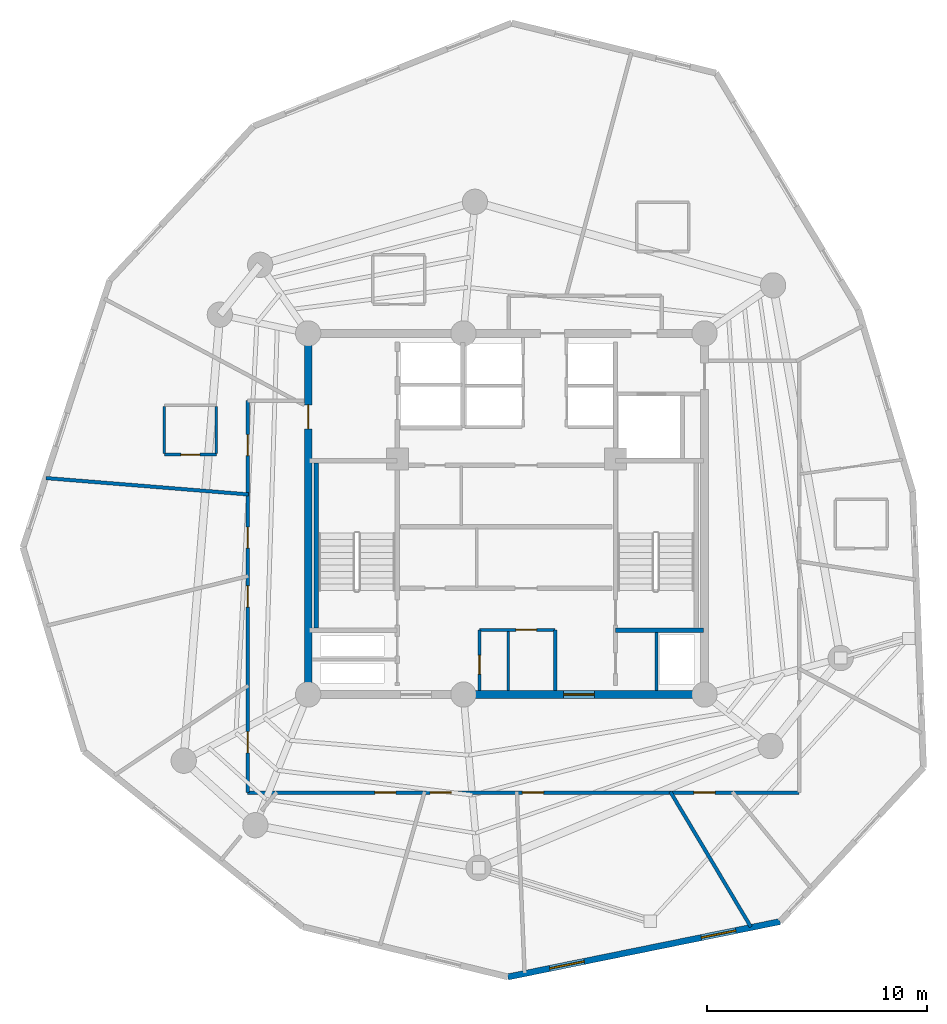
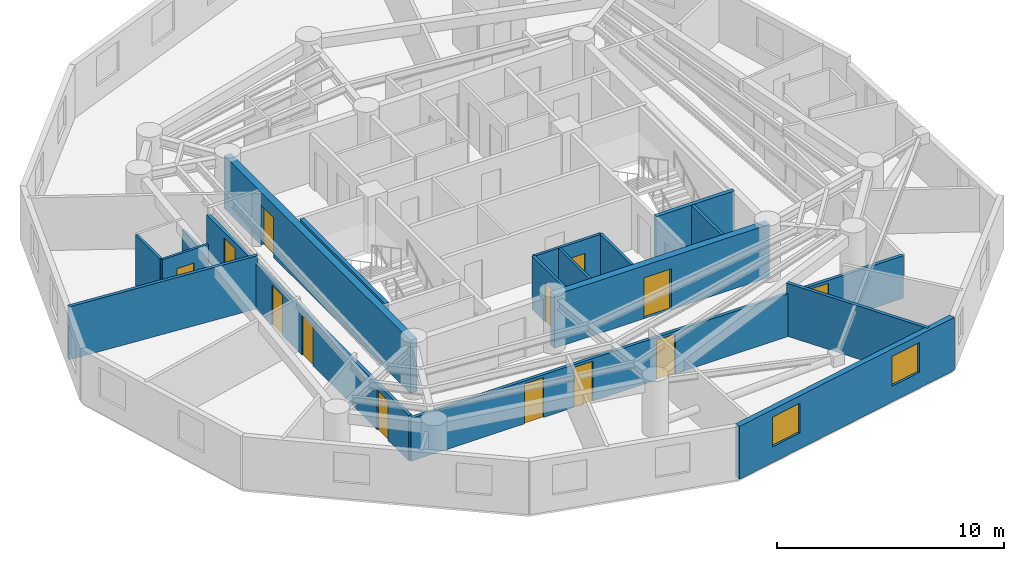
# One storey, part 3 of 7: 17 walls, 13 doors, 2 windows, 15 openings.
"""IFC4 building model written with IfcOpenShell, lengths in metres."""

import ifcopenshell
import ifcopenshell.guid

model = None  # the IFC model being written
_history = None  # IfcOwnerHistory: only IFC2X3 demands one
_inside = {}  # id of a spatial element -> (the spatial element, [elements in it])
_under = {}  # id of a project, library or spatial element -> (it, [spatial elements below it])
_declared = {}  # id of a project -> (the project, [libraries it declares])
_typed = {}  # id of a type object -> (the type object, [elements of that type])
_made_of = {}  # id of a material, layer set ... -> (it, [elements and type objects made of it])


def new_model(schema):
    """Start an empty IFC model of exactly this schema.

    Asked for "IFC4X3", IfcOpenShell would pick the latest addendum, in which some entities
    have other attributes; the version numbers below select the first issue.
    IFC2X3 requires an IfcOwnerHistory on every rooted entity: one is made here for all.
    """
    global model, _history
    if schema == "IFC4X3":
        model = ifcopenshell.file(schema_version=(4, 3, 0, 0))
    else:
        model = ifcopenshell.file(schema=schema)
    _inside.clear()
    _under.clear()
    _declared.clear()
    _typed.clear()
    _made_of.clear()
    _history = None
    if model.schema == "IFC2X3":
        org = make("IfcOrganization", Name="unknown")
        user = make(
            "IfcPersonAndOrganization",
            ThePerson=make("IfcPerson", FamilyName="unknown"),
            TheOrganization=org,
        )
        app = make(
            "IfcApplication",
            ApplicationDeveloper=org,
            Version="unknown",
            ApplicationFullName="unknown",
            ApplicationIdentifier="unknown",
        )
        _history = make(
            "IfcOwnerHistory",
            OwningUser=user,
            OwningApplication=app,
            ChangeAction="ADDED",
            CreationDate=0,
        )
    return model


def make(cls, **values):
    """One entity of the class cls with the attributes given. An attribute that is None is left unset."""
    return model.create_entity(
        cls, **{name: value for name, value in values.items() if value is not None}
    )


def rooted(cls, **values):
    """An entity with a GlobalId (a new one), such as an element, a storey or a relation."""
    return make(cls, GlobalId=ifcopenshell.guid.new(), OwnerHistory=_history, **values)


def si_unit(unit_type, name, prefix=None):
    """IfcSIUnit, for example si_unit("LENGTHUNIT", "METRE", prefix="MILLI")."""
    return make("IfcSIUnit", UnitType=unit_type, Prefix=prefix, Name=name)


def assignment(units):
    """IfcUnitAssignment: the units of a project."""
    return None if units is None else make("IfcUnitAssignment", Units=units)


def point(xyz):
    """IfcCartesianPoint."""
    return None if xyz is None else make("IfcCartesianPoint", Coordinates=xyz)


def direction(xyz):
    """IfcDirection."""
    return None if xyz is None else make("IfcDirection", DirectionRatios=xyz)


def frame(location, z_axis=None, x_axis=None):
    """IfcAxis2Placement3D, a coordinate frame: its origin and axes. An axis left out is left unset."""
    return make(
        "IfcAxis2Placement3D",
        Location=point(location),
        Axis=direction(z_axis),
        RefDirection=direction(x_axis),
    )


def frame_2d(location, x_axis=None):
    """IfcAxis2Placement2D, a coordinate frame in the plane: its origin and x axis."""
    return make(
        "IfcAxis2Placement2D", Location=point(location), RefDirection=direction(x_axis)
    )


def origin():
    """The frame at (0, 0, 0) with its axes left unset."""
    return frame((0.0, 0.0, 0.0))


def origin_with_axes():
    """The frame at (0, 0, 0) with the z axis (0, 0, 1) and the x axis (1, 0, 0) written out."""
    return frame((0.0, 0.0, 0.0), z_axis=(0.0, 0.0, 1.0), x_axis=(1.0, 0.0, 0.0))


def place(relative_to, where):
    """IfcLocalPlacement: puts the frame where relative to a parent placement (None: the world)."""
    return make(
        "IfcLocalPlacement", PlacementRelTo=relative_to, RelativePlacement=where
    )


def context(
    kind, dimensions, precision=None, world=None, true_north=None, identifier=None
):
    """IfcGeometricRepresentationContext, for example the 3D "Model" context."""
    return make(
        "IfcGeometricRepresentationContext",
        ContextIdentifier=identifier,
        ContextType=kind,
        CoordinateSpaceDimension=dimensions,
        Precision=precision,
        WorldCoordinateSystem=world,
        TrueNorth=true_north,
    )


def subcontext(parent, identifier, kind, view, scale=None):
    """IfcGeometricRepresentationSubContext, for example "Body" below "Model"."""
    return make(
        "IfcGeometricRepresentationSubContext",
        ContextIdentifier=identifier,
        ContextType=kind,
        ParentContext=parent,
        TargetScale=scale,
        TargetView=view,
    )


def project(units=None, contexts=None):
    """IfcProject with its units and contexts."""
    return rooted(
        "IfcProject",
        Name="project",
        RepresentationContexts=contexts,
        UnitsInContext=assignment(units),
    )


def spatial(cls, under=None, at=None, **own):
    """A site, building, storey or space (cls), placed at a placement, below another one or the project."""
    s = rooted(cls, ObjectPlacement=at, **own)
    if under is not None:
        _under.setdefault(under.id(), (under, []))[1].append(s)
    return s


def profile(cls, at=None, kind="AREA", **sizes):
    """A parametric profile (cls). Its sizes go by their IFC names, for example OverallWidth=200.0."""
    return make(cls, ProfileType=kind, Position=at, **sizes)


def rectangle(**sizes):
    """IfcRectangleProfileDef."""
    return profile("IfcRectangleProfileDef", **sizes)


def extrude(swept, where, along, depth):
    """IfcExtrudedAreaSolid: the profile swept, set in the frame where, extruded along a direction by depth."""
    return make(
        "IfcExtrudedAreaSolid",
        SweptArea=swept,
        Position=where,
        ExtrudedDirection=direction(along),
        Depth=depth,
    )


def shape(context_of_items, identifier, shape_type, items):
    """IfcShapeRepresentation: the items that make up one representation, for example the "Body"."""
    return make(
        "IfcShapeRepresentation",
        ContextOfItems=context_of_items,
        RepresentationIdentifier=identifier,
        RepresentationType=shape_type,
        Items=items,
    )


def source(mapping_origin, context_of_items, identifier, shape_type, items):
    """IfcRepresentationMap: a shape defined once, which mapped items show again and again."""
    return make(
        "IfcRepresentationMap",
        MappingOrigin=mapping_origin,
        MappedRepresentation=shape(context_of_items, identifier, shape_type, items),
    )


def transform(
    local_origin,
    x_axis=None,
    y_axis=None,
    z_axis=None,
    scale=None,
    scale2=None,
    scale3=None,
    uniform=True,
):
    """IfcCartesianTransformationOperator3D, or its non-uniform kind. x_axis, y_axis, z_axis: its Axis1, 2, 3."""
    if uniform:
        return make(
            "IfcCartesianTransformationOperator3D",
            Axis1=direction(x_axis),
            Axis2=direction(y_axis),
            LocalOrigin=point(local_origin),
            Scale=scale,
            Axis3=direction(z_axis),
        )
    return make(
        "IfcCartesianTransformationOperator3DnonUniform",
        Axis1=direction(x_axis),
        Axis2=direction(y_axis),
        LocalOrigin=point(local_origin),
        Scale=scale,
        Axis3=direction(z_axis),
        Scale2=scale2,
        Scale3=scale3,
    )


def mapped(mapping_source, mapping_target):
    """IfcMappedItem: shows the shape of a source again, moved by a transform."""
    return make(
        "IfcMappedItem", MappingSource=mapping_source, MappingTarget=mapping_target
    )


def material(Name=None, Category=None):
    """IfcMaterial."""
    return make("IfcMaterial", Name=Name, Category=Category)


def layer(
    of_material, thickness, ventilated=None, Name=None, Category=None, Priority=None
):
    """IfcMaterialLayer: one layer of a wall or slab, of a material (None: an air gap)."""
    return make(
        "IfcMaterialLayer",
        Material=of_material,
        LayerThickness=thickness,
        IsVentilated=ventilated,
        Name=Name,
        Category=Category,
        Priority=Priority,
    )


def layer_set(layers, Name=None):
    """IfcMaterialLayerSet."""
    return make("IfcMaterialLayerSet", MaterialLayers=layers, LayerSetName=Name)


def made_of(thing, what):
    """Note that an element or type object is made of a material, layer set ...; save() writes the relation."""
    if what is not None:
        _made_of.setdefault(what.id(), (what, []))[1].append(thing)
    return thing


def type_object(cls, material=None, **own):
    """A type object (cls), such as IfcWallType, which elements share."""
    return made_of(rooted(cls, **own), material)


def element(
    cls,
    number,
    at=None,
    inside=None,
    cuts=None,
    type_object=None,
    material=None,
    context=None,
    identifier="Body",
    shape_type=None,
    held_by="IfcProductDefinitionShape",
    body=None,
    shapes=None,
    **own,
):
    """One element of the class cls, such as IfcWall. Its Tag is "e" and its number.

    at: its placement. inside: the storey or other place that contains it. cuts: it is an
    opening in that element (IfcRelVoidsElement). A single representation is given by context,
    identifier, shape_type and body (its items); several are given by shapes. held_by: the class
    of the entity that holds the representations. save() writes the other relations.
    """
    e = rooted(cls, Tag="e%d" % number, ObjectPlacement=at, **own)
    if body is not None:
        shapes = [shape(context, identifier, shape_type, body)]
    if shapes is not None:
        e.Representation = make(held_by, Representations=shapes)
    if inside is not None:
        _inside.setdefault(inside.id(), (inside, []))[1].append(e)
    if cuts is not None:
        rooted(
            "IfcRelVoidsElement", RelatingBuildingElement=cuts, RelatedOpeningElement=e
        )
    if type_object is not None:
        _typed.setdefault(type_object.id(), (type_object, []))[1].append(e)
    return made_of(e, material)


def fill(opening, filler):
    """IfcRelFillsElement: the door or window that sits in an opening."""
    return rooted(
        "IfcRelFillsElement",
        RelatingOpeningElement=opening,
        RelatedBuildingElement=filler,
    )


def aggregate(whole, parts):
    """IfcRelAggregates: a whole, such as a stair, and the parts it consists of."""
    return rooted("IfcRelAggregates", RelatingObject=whole, RelatedObjects=parts)


def save(model, path):
    """Write the relations noted so far, then the file.

    IfcRelAggregates (storeys below a building ...), IfcRelContainedInSpatialStructure (elements
    in a storey), IfcRelDefinesByType, IfcRelAssociatesMaterial and IfcRelDeclares: one each for
    every whole, place, type object, material and project.
    """
    for whole, parts in _under.values():
        aggregate(whole, parts)
    for where, things in _inside.values():
        rooted(
            "IfcRelContainedInSpatialStructure",
            RelatedElements=things,
            RelatingStructure=where,
        )
    for kind, things in _typed.values():
        rooted("IfcRelDefinesByType", RelatedObjects=things, RelatingType=kind)
    for what, things in _made_of.values():
        rooted("IfcRelAssociatesMaterial", RelatedObjects=things, RelatingMaterial=what)
    for by, libraries in _declared.values():
        rooted("IfcRelDeclares", RelatingContext=by, RelatedDefinitions=libraries)
    model.write(path)


model = new_model("IFC4")

# Units and contexts
model_context = context("Model", 3, precision=1e-05, world=origin(), true_north=direction((0.0, 1.0)))
body_context = subcontext(model_context, "Body", "Model", "MODEL_VIEW")
ifc_project = project(units=[si_unit("LENGTHUNIT", "METRE"), si_unit("AREAUNIT", "SQUARE_METRE"), si_unit("VOLUMEUNIT", "CUBIC_METRE"), si_unit("PLANEANGLEUNIT", "RADIAN"), si_unit("MASSUNIT", "GRAM", prefix="KILO")], contexts=[model_context])

# Site, building, storey
site_placement = place(None, origin())
site = spatial("IfcSite", under=ifc_project, at=site_placement, CompositionType="ELEMENT")
building_placement = place(site_placement, origin())
building = spatial("IfcBuilding", under=site, at=building_placement, Name="Karkom Vertical University and Central Library", CompositionType="ELEMENT")
storey_placement = place(building_placement, frame((0.0, 0.0, 229.10009765625)))
storey = spatial("IfcBuildingStorey", under=building, at=storey_placement, Name="L67", CompositionType="ELEMENT", Elevation=229.10009765625)

# Wall, openings, windows
ifc_material_1 = material(Name="Brick-faced precast concrete C45/55", Category="masonry")
ifc_layer_1 = layer(ifc_material_1, 0.280029296875)
ifc_layer_set_1 = layer_set([ifc_layer_1], Name="Brick-faced precast concrete C45/55")
wall_type_1 = type_object("IfcWallType", Name="ENV-WL-BRK-280", PredefinedType="SOLIDWALL", material=ifc_layer_set_1)
wall_1_placement = place(storey_placement, frame((28.56591796875, 5.473876953125, 0.0), z_axis=(0.0, 0.0, 1.0), x_axis=(0.979918215736, 0.199399825647, 0.0)))
wall_1 = element("IfcWall", 1, at=wall_1_placement, inside=storey, type_object=wall_type_1, Name="Level 67 Brick-Faced Precast Facade Wall 04", PredefinedType="SOLIDWALL", context=body_context, shape_type="SweptSolid", body=[
    extrude(rectangle(XDim=12.620849609375, YDim=0.280029296875, at=frame_2d((6.310546875, 0.0))), origin(), (0.0, 0.0, 1.0), 2.849853515625),
])
opening_1_placement = place(wall_1_placement, frame((1.94189453125, 0.0, 0.85009765625)))
opening_1 = element("IfcOpeningElement", 2, at=opening_1_placement, cuts=wall_1, Name="Opening WN-10", PredefinedType="OPENING", context=body_context, shape_type="SweptSolid", body=[
    extrude(rectangle(XDim=1.60009765625, YDim=1.60009765625, at=frame_2d((0.800048828125, 0.800048828125))), frame((0.0, 0.14990234375, 0.0), z_axis=(0.0, -1.0, 0.0), x_axis=(1.0, 0.0, 0.0)), (0.0, 0.0, 1.0), 0.300048828125),
])
opening_2_placement = place(wall_1_placement, frame((8.964111328125, 0.0, 0.85009765625)))
opening_2 = element("IfcOpeningElement", 3, at=opening_2_placement, cuts=wall_1, Name="Opening WN-10", PredefinedType="OPENING", context=body_context, shape_type="SweptSolid", body=[
    extrude(rectangle(XDim=1.60009765625, YDim=1.60009765625, at=frame_2d((0.800048828125, 0.800048828125))), frame((0.0, 0.14990234375, 0.0), z_axis=(0.0, -1.0, 0.0), x_axis=(1.0, 0.0, 0.0)), (0.0, 0.0, 1.0), 0.300048828125),
])
ifc_material_2 = material(Name="Aluminium thermal-break frame with solar-control IGU", Category="aluminium")
window_type = type_object("IfcWindowType", Name="ENV-WIN-WN-10", PartitioningType="SINGLE_PANEL", PredefinedType="WINDOW", material=ifc_material_2)
shared_shape_1 = source(origin_with_axes(), body_context, "Body", "SweptSolid", [
    extrude(rectangle(XDim=1.60009765625, YDim=1.60009765625, at=frame_2d((0.800048828125, 0.800048828125))), frame((0.0, 0.030029296875, 0.0), z_axis=(0.0, -1.0, 0.0), x_axis=(1.0, 0.0, 0.0)), (0.0, 0.0, 1.0), 0.06005859375),
])
window_1_placement = place(opening_1_placement, origin())
window_1 = element("IfcWindow", 4, at=window_1_placement, inside=storey, type_object=window_type, Name="Level 67 Punched Window 4.1", OverallHeight=1.60009765625, OverallWidth=1.60009765625, PartitioningType="SINGLE_PANEL", PredefinedType="WINDOW", context=body_context, shape_type="MappedRepresentation", body=[
    mapped(shared_shape_1, transform((0.0, 0.0, 0.0), scale=1.0)),
])
fill(opening_1, window_1)
window_2_placement = place(opening_2_placement, origin())
window_2 = element("IfcWindow", 5, at=window_2_placement, inside=storey, type_object=window_type, Name="Level 67 Punched Window 4.2", OverallHeight=1.60009765625, OverallWidth=1.60009765625, PartitioningType="SINGLE_PANEL", PredefinedType="WINDOW", context=body_context, shape_type="MappedRepresentation", body=[
    mapped(shared_shape_1, transform((0.0, 0.0, 0.0), scale=1.0)),
])
fill(opening_2, window_2)

# Wall, openings, doors
ifc_material_3 = material(Name="Insulated metal-stud drywall 160mm", Category="gypsum")
ifc_layer_2 = layer(ifc_material_3, 0.159912109375)
ifc_layer_set_2 = layer_set([ifc_layer_2], Name="Insulated metal-stud drywall 160mm")
wall_type_2 = type_object("IfcWallType", Name="INT-WL-COR-160", PredefinedType="PARTITIONING", material=ifc_layer_set_2)
wall_2_placement = place(storey_placement, frame((41.800048828125, 13.85009765625, 0.0), z_axis=(0.0, 0.0, 1.0), x_axis=(-1.0, 0.0, 0.0)))
wall_2 = element("IfcWall", 6, at=wall_2_placement, inside=storey, type_object=wall_type_2, Name="Level 67 Interior Partition Wall L67-CORW-CW-001", PredefinedType="PARTITIONING", context=body_context, shape_type="SweptSolid", body=[
    extrude(rectangle(XDim=25.050048828125, YDim=0.159912109375, at=frame_2d((12.52490234375, 0.0))), origin(), (0.0, 0.0, 1.0), 2.2998046875),
])
opening_3_placement = place(wall_2_placement, frame((18.3125, 0.0, 0.0)))
opening_3 = element("IfcOpeningElement", 7, at=opening_3_placement, cuts=wall_2, Name="Opening FD-RM2", PredefinedType="OPENING", context=body_context, shape_type="SweptSolid", body=[
    extrude(rectangle(XDim=0.9599609375, YDim=2.14990234375, at=frame_2d((0.47998046875, 1.074951171875))), frame((0.0, 0.08984375, 0.0), z_axis=(0.0, -1.0, 0.0), x_axis=(1.0, 0.0, 0.0)), (0.0, 0.0, 1.0), 0.179931640625),
])
opening_4_placement = place(wall_2_placement, frame((15.8076171875, 0.0, 0.0)))
opening_4 = element("IfcOpeningElement", 8, at=opening_4_placement, cuts=wall_2, Name="Opening FD-RM2", PredefinedType="OPENING", context=body_context, shape_type="SweptSolid", body=[
    extrude(rectangle(XDim=0.9599609375, YDim=2.14990234375, at=frame_2d((0.47998046875, 1.074951171875))), frame((0.0, 0.08984375, 0.0), z_axis=(0.0, -1.0, 0.0), x_axis=(1.0, 0.0, 0.0)), (0.0, 0.0, 1.0), 0.179931640625),
])
opening_5_placement = place(wall_2_placement, frame((11.610107421875, 0.0, 0.0)))
opening_5 = element("IfcOpeningElement", 9, at=opening_5_placement, cuts=wall_2, Name="Opening FD-RM2", PredefinedType="OPENING", context=body_context, shape_type="SweptSolid", body=[
    extrude(rectangle(XDim=0.9599609375, YDim=2.14990234375, at=frame_2d((0.47998046875, 1.074951171875))), frame((0.0, 0.08984375, 0.0), z_axis=(0.0, -1.0, 0.0), x_axis=(1.0, 0.0, 0.0)), (0.0, 0.0, 1.0), 0.179931640625),
])
opening_6_placement = place(wall_2_placement, frame((3.820068359375, 0.0, 0.0)))
opening_6 = element("IfcOpeningElement", 10, at=opening_6_placement, cuts=wall_2, Name="Opening FD-RM2", PredefinedType="OPENING", context=body_context, shape_type="SweptSolid", body=[
    extrude(rectangle(XDim=0.9599609375, YDim=2.14990234375, at=frame_2d((0.47998046875, 1.074951171875))), frame((0.0, 0.08984375, 0.0), z_axis=(0.0, -1.0, 0.0), x_axis=(1.0, 0.0, 0.0)), (0.0, 0.0, 1.0), 0.179931640625),
])
ifc_material_4 = material(Name="Fire-rated oak veneer door", Category="wood")
door_type_1 = type_object("IfcDoorType", Name="INT-DR-FRM2", OperationType="NOTDEFINED", PredefinedType="DOOR", material=ifc_material_4)
shared_shape_2 = source(origin_with_axes(), body_context, "Body", "SweptSolid", [
    extrude(rectangle(XDim=0.9599609375, YDim=2.14990234375, at=frame_2d((0.47998046875, 1.074951171875))), frame((0.0, 0.02490234375, 0.0), z_axis=(0.0, -1.0, 0.0), x_axis=(1.0, 0.0, 0.0)), (0.0, 0.0, 1.0), 0.050048828125),
])
door_1_placement = place(opening_3_placement, origin())
door_1 = element("IfcDoor", 11, at=door_1_placement, inside=storey, type_object=door_type_1, Name="Level 67 Room Entry Door 303", OperationType="SINGLE_SWING_LEFT", OverallHeight=2.14990234375, OverallWidth=0.9599609375, PredefinedType="DOOR", context=body_context, shape_type="MappedRepresentation", body=[
    mapped(shared_shape_2, transform((0.0, 0.0, 0.0), scale=1.0)),
])
fill(opening_3, door_1)
door_2_placement = place(opening_4_placement, origin())
door_2 = element("IfcDoor", 12, at=door_2_placement, inside=storey, type_object=door_type_1, Name="Level 67 Room Entry Door 304", OperationType="SINGLE_SWING_RIGHT", OverallHeight=2.14990234375, OverallWidth=0.9599609375, PredefinedType="DOOR", context=body_context, shape_type="MappedRepresentation", body=[
    mapped(shared_shape_2, transform((0.0, 0.0, 0.0), scale=1.0)),
])
fill(opening_4, door_2)
door_3_placement = place(opening_5_placement, origin())
door_3 = element("IfcDoor", 13, at=door_3_placement, inside=storey, type_object=door_type_1, Name="Level 67 Room Entry Door 305", OperationType="SINGLE_SWING_LEFT", OverallHeight=2.14990234375, OverallWidth=0.9599609375, PredefinedType="DOOR", context=body_context, shape_type="MappedRepresentation", body=[
    mapped(shared_shape_2, transform((0.0, 0.0, 0.0), scale=1.0)),
])
fill(opening_5, door_3)
door_4_placement = place(opening_6_placement, origin())
door_4 = element("IfcDoor", 14, at=door_4_placement, inside=storey, type_object=door_type_1, Name="Level 67 Room Entry Door 306", OperationType="SINGLE_SWING_RIGHT", OverallHeight=2.14990234375, OverallWidth=0.9599609375, PredefinedType="DOOR", context=body_context, shape_type="MappedRepresentation", body=[
    mapped(shared_shape_2, transform((0.0, 0.0, 0.0), scale=1.0)),
])
fill(opening_6, door_4)

wall_3_placement = place(storey_placement, frame((16.75, 13.85009765625, 0.0), z_axis=(0.0, 0.0, 1.0), x_axis=(0.0, 1.0, 0.0)))
wall_3 = element("IfcWall", 15, at=wall_3_placement, inside=storey, type_object=wall_type_2, Name="Level 67 Interior Partition Wall L67-CORW-CW-002", PredefinedType="PARTITIONING", context=body_context, shape_type="SweptSolid", body=[
    extrude(rectangle(XDim=17.7998046875, YDim=0.159912109375, at=frame_2d((8.89990234375, 0.0))), origin(), (0.0, 0.0, 1.0), 2.449951171875),
])
opening_7_placement = place(wall_3_placement, frame((15.298583984375, 0.0, 0.0)))
opening_7 = element("IfcOpeningElement", 16, at=opening_7_placement, cuts=wall_3, Name="Opening FD-RM2", PredefinedType="OPENING", context=body_context, shape_type="SweptSolid", body=[
    extrude(rectangle(XDim=0.9599609375, YDim=2.14990234375, at=frame_2d((0.47998046875, 1.074951171875))), frame((0.0, 0.08984375, 0.0), z_axis=(0.0, -1.0, 0.0), x_axis=(1.0, 0.0, 0.0)), (0.0, 0.0, 1.0), 0.179931640625),
])
opening_8_placement = place(wall_3_placement, frame((11.094970703125, 0.0, 0.0)))
opening_8 = element("IfcOpeningElement", 17, at=opening_8_placement, cuts=wall_3, Name="Opening FD-RM2", PredefinedType="OPENING", context=body_context, shape_type="SweptSolid", body=[
    extrude(rectangle(XDim=0.9599609375, YDim=2.14990234375, at=frame_2d((0.47998046875, 1.074951171875))), frame((0.0, 0.08984375, 0.0), z_axis=(0.0, -1.0, 0.0), x_axis=(1.0, 0.0, 0.0)), (0.0, 0.0, 1.0), 0.179931640625),
])
opening_9_placement = place(wall_3_placement, frame((8.425048828125, 0.0, 0.0)))
opening_9 = element("IfcOpeningElement", 18, at=opening_9_placement, cuts=wall_3, Name="Opening FD-RM2", PredefinedType="OPENING", context=body_context, shape_type="SweptSolid", body=[
    extrude(rectangle(XDim=0.9599609375, YDim=2.14990234375, at=frame_2d((0.47998046875, 1.074951171875))), frame((0.0, 0.08984375, 0.0), z_axis=(0.0, -1.0, 0.0), x_axis=(1.0, 0.0, 0.0)), (0.0, 0.0, 1.0), 0.179931640625),
])
opening_10_placement = place(wall_3_placement, frame((1.805419921875, 0.0, 0.0)))
opening_10 = element("IfcOpeningElement", 19, at=opening_10_placement, cuts=wall_3, Name="Opening FD-RM2", PredefinedType="OPENING", context=body_context, shape_type="SweptSolid", body=[
    extrude(rectangle(XDim=0.9599609375, YDim=2.14990234375, at=frame_2d((0.47998046875, 1.074951171875))), frame((0.0, 0.08984375, 0.0), z_axis=(0.0, -1.0, 0.0), x_axis=(1.0, 0.0, 0.0)), (0.0, 0.0, 1.0), 0.179931640625),
])
door_5_placement = place(opening_7_placement, origin())
door_5 = element("IfcDoor", 20, at=door_5_placement, inside=storey, type_object=door_type_1, Name="Level 67 Room Entry Door 424", OperationType="SINGLE_SWING_LEFT", OverallHeight=2.14990234375, OverallWidth=0.9599609375, PredefinedType="DOOR", context=body_context, shape_type="MappedRepresentation", body=[
    mapped(shared_shape_2, transform((0.0, 0.0, 0.0), scale=1.0)),
])
fill(opening_7, door_5)
door_6_placement = place(opening_8_placement, origin())
door_6 = element("IfcDoor", 21, at=door_6_placement, inside=storey, type_object=door_type_1, Name="Level 67 Room Entry Door 300", OperationType="SINGLE_SWING_RIGHT", OverallHeight=2.14990234375, OverallWidth=0.9599609375, PredefinedType="DOOR", context=body_context, shape_type="MappedRepresentation", body=[
    mapped(shared_shape_2, transform((0.0, 0.0, 0.0), scale=1.0)),
])
fill(opening_8, door_6)
door_7_placement = place(opening_9_placement, origin())
door_7 = element("IfcDoor", 22, at=door_7_placement, inside=storey, type_object=door_type_1, Name="Level 67 Room Entry Door 301", OperationType="SINGLE_SWING_LEFT", OverallHeight=2.14990234375, OverallWidth=0.9599609375, PredefinedType="DOOR", context=body_context, shape_type="MappedRepresentation", body=[
    mapped(shared_shape_2, transform((0.0, 0.0, 0.0), scale=1.0)),
])
fill(opening_9, door_7)
door_8_placement = place(opening_10_placement, origin())
door_8 = element("IfcDoor", 23, at=door_8_placement, inside=storey, type_object=door_type_1, Name="Level 67 Room Entry Door 302", OperationType="SINGLE_SWING_RIGHT", OverallHeight=2.14990234375, OverallWidth=0.9599609375, PredefinedType="DOOR", context=body_context, shape_type="MappedRepresentation", body=[
    mapped(shared_shape_2, transform((0.0, 0.0, 0.0), scale=1.0)),
])
fill(opening_10, door_8)

# Walls
wall_4_placement = place(storey_placement, frame((7.5986328125, 28.130126953125, 0.0), z_axis=(0.0, 0.0, 1.0), x_axis=(0.996746422689, -0.080601295623, 0.0)))
element("IfcWall", 24, at=wall_4_placement, inside=storey, type_object=wall_type_2, Name="Level 67 Interior Partition Wall L67-PW-002", PredefinedType="PARTITIONING", context=body_context, shape_type="SweptSolid", body=[
    extrude(rectangle(XDim=9.226318359375, YDim=0.159912109375, at=frame_2d((4.61328125, 0.0))), origin(), (0.0, 0.0, 1.0), 2.849853515625),
])
wall_5_placement = place(storey_placement, frame((35.945068359375, 13.888671875, 0.0), z_axis=(0.0, 0.0, 1.0), x_axis=(0.511871151739, -0.859062235241, 0.0)))
element("IfcWall", 25, at=wall_5_placement, inside=storey, type_object=wall_type_2, Name="Level 67 Interior Partition Wall L67-PW-008", PredefinedType="PARTITIONING", context=body_context, shape_type="SweptSolid", body=[
    extrude(rectangle(XDim=7.147216796875, YDim=0.159912109375, at=frame_2d((3.57373046875, 0.0))), origin(), (0.0, 0.0, 1.0), 2.849853515625),
])
ifc_material_5 = material(Name="Moisture-resistant drywall 120mm", Category="gypsum")
ifc_layer_3 = layer(ifc_material_5, 0.1201171875)
ifc_layer_set_3 = layer_set([ifc_layer_3], Name="Moisture-resistant drywall 120mm")
wall_type_3 = type_object("IfcWallType", Name="INT-WL-INT-120", PredefinedType="PARTITIONING", material=ifc_layer_set_3)
wall_6_placement = place(storey_placement, frame((28.580078125, 18.48193359375, 0.0), z_axis=(0.0, 0.0, 1.0), x_axis=(0.0, 1.0, 0.0)))
element("IfcWall", 26, at=wall_6_placement, inside=storey, type_object=wall_type_3, Name="Level 67 Interior Partition Wall L67-CW-K2-DIV", PredefinedType="PARTITIONING", context=body_context, shape_type="SweptSolid", body=[
    extrude(rectangle(XDim=2.687255859375, YDim=0.1201171875, at=frame_2d((1.34375, 0.0))), origin(), (0.0, 0.0, 1.0), 2.849853515625),
])

# Wall, opening, door
ifc_layer_4 = layer(ifc_material_5, 0.1201171875)
ifc_layer_set_4 = layer_set([ifc_layer_4], Name="Moisture-resistant drywall 120mm")
wall_type_4 = type_object("IfcWallType", Name="INT-WL-INT-120F", PredefinedType="PARTITIONING", material=ifc_layer_set_4)
wall_7_placement = place(storey_placement, frame((12.966064453125, 29.197998046875, 0.0), z_axis=(0.0, 0.0, 1.0), x_axis=(1.0, 0.0, 0.0)))
wall_7 = element("IfcWall", 27, at=wall_7_placement, inside=storey, type_object=wall_type_4, Name="Level 67 Interior Partition Wall L67-ENS-52-S", PredefinedType="PARTITIONING", context=body_context, shape_type="SweptSolid", body=[
    extrude(rectangle(XDim=2.35986328125, YDim=0.1201171875, at=frame_2d((1.179931640625, 0.0))), origin(), (0.0, 0.0, 1.0), 2.849853515625),
])
opening_11_placement = place(wall_7_placement, frame((0.75, 0.0, 0.0)))
opening_11 = element("IfcOpeningElement", 28, at=opening_11_placement, cuts=wall_7, Name="Opening D-BATH", PredefinedType="OPENING", context=body_context, shape_type="SweptSolid", body=[
    extrude(rectangle(XDim=0.860107421875, YDim=2.10009765625, at=frame_2d((0.43017578125, 1.050048828125))), frame((0.0, 0.070068359375, 0.0), z_axis=(0.0, -1.0, 0.0), x_axis=(1.0, 0.0, 0.0)), (0.0, 0.0, 1.0), 0.14013671875),
])
ifc_material_6 = material(Name="Moisture-resistant oak door", Category="wood")
door_type_2 = type_object("IfcDoorType", Name="INT-DR-BATH", OperationType="NOTDEFINED", PredefinedType="DOOR", material=ifc_material_6)
shared_shape_3 = source(origin_with_axes(), body_context, "Body", "SweptSolid", [
    extrude(rectangle(XDim=0.860107421875, YDim=2.10009765625, at=frame_2d((0.43017578125, 1.050048828125))), frame((0.0, 0.02490234375, 0.0), z_axis=(0.0, -1.0, 0.0), x_axis=(1.0, 0.0, 0.0)), (0.0, 0.0, 1.0), 0.050048828125),
])
door_9_placement = place(opening_11_placement, origin())
door_9 = element("IfcDoor", 29, at=door_9_placement, inside=storey, type_object=door_type_2, Name="Level 67 En-Suite Bathroom Door 52", OperationType="SINGLE_SWING_RIGHT", OverallHeight=2.10009765625, OverallWidth=0.860107421875, PredefinedType="DOOR", context=body_context, shape_type="MappedRepresentation", body=[
    mapped(shared_shape_3, transform((0.0, 0.0, 0.0), scale=1.0)),
])
fill(opening_11, door_9)

# Walls
wall_8_placement = place(storey_placement, frame((15.325927734375, 29.248046875, 0.0), z_axis=(0.0, 0.0, 1.0), x_axis=(0.0, 1.0, 0.0)))
element("IfcWall", 30, at=wall_8_placement, inside=storey, type_object=wall_type_4, Name="Level 67 Interior Partition Wall L67-ENS-52-E", PredefinedType="PARTITIONING", context=body_context, shape_type="SweptSolid", body=[
    extrude(rectangle(XDim=2.139892578125, YDim=0.1201171875, at=frame_2d((1.06982421875, 0.0))), origin(), (0.0, 0.0, 1.0), 2.2998046875),
])
wall_9_placement = place(storey_placement, frame((12.966064453125, 31.387939453125, 0.0), z_axis=(0.0, 0.0, 1.0), x_axis=(0.0, -1.0, 0.0)))
element("IfcWall", 31, at=wall_9_placement, inside=storey, type_object=wall_type_4, Name="Level 67 Interior Partition Wall L67-ENS-52-W", PredefinedType="PARTITIONING", context=body_context, shape_type="SweptSolid", body=[
    extrude(rectangle(XDim=2.139892578125, YDim=0.1201171875, at=frame_2d((1.06982421875, 0.0))), origin(), (0.0, 0.0, 1.0), 2.849853515625),
])

# Wall, opening, door
ifc_material_7 = material(Name="Metal-stud gypsum partition 140mm", Category="gypsum")
ifc_layer_5 = layer(ifc_material_7, 0.139892578125)
ifc_layer_set_5 = layer_set([ifc_layer_5], Name="Metal-stud gypsum partition 140mm")
wall_type_5 = type_object("IfcWallType", Name="INT-WL-SUB-140", PredefinedType="PARTITIONING", material=ifc_layer_set_5)
wall_10_placement = place(storey_placement, frame((27.280029296875, 21.239990234375, 0.0), z_axis=(0.0, 0.0, 1.0), x_axis=(1.0, 0.0, 0.0)))
wall_10 = element("IfcWall", 32, at=wall_10_placement, inside=storey, type_object=wall_type_5, Name="Level 67 Interior Partition Wall L67-CW-KBAY-N", PredefinedType="PARTITIONING", context=body_context, shape_type="SweptSolid", body=[
    extrude(rectangle(XDim=3.43994140625, YDim=0.139892578125, at=frame_2d((1.719970703125, 0.0))), origin(), (0.0, 0.0, 1.0), 2.849853515625),
])
opening_12_placement = place(wall_10_placement, frame((1.64990234375, 0.0, 0.0)))
opening_12 = element("IfcOpeningElement", 33, at=opening_12_placement, cuts=wall_10, Name="Opening D-WC1", PredefinedType="OPENING", context=body_context, shape_type="SweptSolid", body=[
    extrude(rectangle(XDim=0.93994140625, YDim=2.10009765625, at=frame_2d((0.469970703125, 1.050048828125))), frame((0.0, 0.080078125, 0.0), z_axis=(0.0, -1.0, 0.0), x_axis=(1.0, 0.0, 0.0)), (0.0, 0.0, 1.0), 0.159912109375),
])
ifc_material_8 = material(Name="Fire-rated laminate moisture-resistant door", Category="wood")
door_type_3 = type_object("IfcDoorType", Name="INT-DR-WC1", OperationType="NOTDEFINED", PredefinedType="DOOR", material=ifc_material_8)
shared_shape_4 = source(origin_with_axes(), body_context, "Body", "SweptSolid", [
    extrude(rectangle(XDim=0.93994140625, YDim=2.10009765625, at=frame_2d((0.469970703125, 1.050048828125))), frame((0.0, 0.02490234375, 0.0), z_axis=(0.0, -1.0, 0.0), x_axis=(1.0, 0.0, 0.0)), (0.0, 0.0, 1.0), 0.050048828125),
])
door_10_placement = place(opening_12_placement, origin())
door_10 = element("IfcDoor", 34, at=door_10_placement, inside=storey, type_object=door_type_3, Name="Level 67 Staff WC Door", OperationType="SINGLE_SWING_LEFT", OverallHeight=2.10009765625, OverallWidth=0.93994140625, PredefinedType="DOOR", context=body_context, shape_type="MappedRepresentation", body=[
    mapped(shared_shape_4, transform((0.0, 0.0, 0.0), scale=1.0)),
])
fill(opening_12, door_10)

wall_11_placement = place(storey_placement, frame((27.280029296875, 18.48193359375, 0.0), z_axis=(0.0, 0.0, 1.0), x_axis=(0.0, 1.0, 0.0)))
wall_11 = element("IfcWall", 35, at=wall_11_placement, inside=storey, type_object=wall_type_5, Name="Level 67 Interior Partition Wall L67-CW-KBAY-W", PredefinedType="PARTITIONING", context=body_context, shape_type="SweptSolid", body=[
    extrude(rectangle(XDim=2.758056640625, YDim=0.139892578125, at=frame_2d((1.37890625, 0.0))), origin(), (0.0, 0.0, 1.0), 2.849853515625),
])
opening_13_placement = place(wall_11_placement, frame((0.739990234375, 0.0, 0.0)))
opening_13 = element("IfcOpeningElement", 36, at=opening_13_placement, cuts=wall_11, Name="Opening D-BATH", PredefinedType="OPENING", context=body_context, shape_type="SweptSolid", body=[
    extrude(rectangle(XDim=0.860107421875, YDim=2.10009765625, at=frame_2d((0.43017578125, 1.050048828125))), frame((0.0, 0.080078125, 0.0), z_axis=(0.0, -1.0, 0.0), x_axis=(1.0, 0.0, 0.0)), (0.0, 0.0, 1.0), 0.159912109375),
])
door_11_placement = place(opening_13_placement, origin())
door_11 = element("IfcDoor", 37, at=door_11_placement, inside=storey, type_object=door_type_2, Name="Level 67 Cleaners Store Door", OperationType="SINGLE_SWING_RIGHT", OverallHeight=2.10009765625, OverallWidth=0.860107421875, PredefinedType="DOOR", context=body_context, shape_type="MappedRepresentation", body=[
    mapped(shared_shape_3, transform((0.0, 0.0, 0.0), scale=1.0)),
])
fill(opening_13, door_11)

# Walls
wall_12_placement = place(storey_placement, frame((30.719970703125, 18.48193359375, 0.0), z_axis=(0.0, 0.0, 1.0), x_axis=(0.0, 1.0, 0.0)))
element("IfcWall", 38, at=wall_12_placement, inside=storey, type_object=wall_type_5, Name="Level 67 Interior Partition Wall L67-CW-KBAY-E", PredefinedType="PARTITIONING", context=body_context, shape_type="SweptSolid", body=[
    extrude(rectangle(XDim=2.758056640625, YDim=0.139892578125, at=frame_2d((1.37890625, 0.0))), origin(), (0.0, 0.0, 1.0), 2.849853515625),
])
ifc_layer_6 = layer(ifc_material_7, 0.139892578125)
ifc_layer_set_6 = layer_set([ifc_layer_6], Name="Metal-stud gypsum partition 140mm")
wall_type_6 = type_object("IfcWallType", Name="INT-WL-SUB-140H", PredefinedType="PARTITIONING", material=ifc_layer_set_6)
wall_13_placement = place(storey_placement, frame((35.320068359375, 18.48193359375, 0.0), z_axis=(0.0, 0.0, 1.0), x_axis=(0.0, 1.0, 0.0)))
element("IfcWall", 39, at=wall_13_placement, inside=storey, type_object=wall_type_6, Name="Level 67 Interior Partition Wall L67-CW-RIS-E", PredefinedType="PARTITIONING", context=body_context, shape_type="SweptSolid", body=[
    extrude(rectangle(XDim=2.629150390625, YDim=0.139892578125, at=frame_2d((1.314453125, 0.0))), origin(), (0.0, 0.0, 1.0), 2.849853515625),
])

# Wall, opening, door
ifc_material_9 = material(Name="Concrete C45/55", Category="concrete")
ifc_layer_7 = layer(ifc_material_9, 0.35009765625)
ifc_layer_set_7 = layer_set([ifc_layer_7], Name="Concrete C45/55")
wall_type_7 = type_object("IfcWallType", Name="STR-WL-CW-350", PredefinedType="SHEAR", material=ifc_layer_set_7)
wall_14_placement = place(storey_placement, frame((26.550048828125, 18.300048828125, 0.0), z_axis=(0.0, 0.0, 1.0), x_axis=(1.0, 0.0, 0.0)))
wall_14 = element("IfcWall", 40, at=wall_14_placement, inside=storey, type_object=wall_type_7, Name="Level 67 Central Core Shear Wall SW2", PredefinedType="SHEAR", context=body_context, shape_type="SweptSolid", body=[
    extrude(rectangle(XDim=10.949951171875, YDim=0.35009765625, at=frame_2d((5.47509765625, 0.0))), origin(), (0.0, 0.0, 1.0), 2.849853515625),
])
opening_14_placement = place(wall_14_placement, frame((4.550048828125, 0.0, 0.0)))
opening_14 = element("IfcOpeningElement", 41, at=opening_14_placement, cuts=wall_14, Name="Opening FD-CLB", PredefinedType="OPENING", context=body_context, shape_type="SweptSolid", body=[
    extrude(rectangle(XDim=1.39990234375, YDim=2.199951171875, at=frame_2d((0.699951171875, 1.10009765625))), frame((0.0, 0.18505859375, 0.0), z_axis=(0.0, -1.0, 0.0), x_axis=(1.0, 0.0, 0.0)), (0.0, 0.0, 1.0), 0.3701171875),
])
ifc_material_10 = material(Name="Painted steel fire door", Category="steel")
door_type_4 = type_object("IfcDoorType", Name="INT-DR-CLB", OperationType="DOUBLE_DOOR_SINGLE_SWING", PredefinedType="DOOR", material=ifc_material_10)
shared_shape_5 = source(origin_with_axes(), body_context, "Body", "SweptSolid", [
    extrude(rectangle(XDim=1.39990234375, YDim=2.199951171875, at=frame_2d((0.699951171875, 1.10009765625))), frame((0.0, 0.02490234375, 0.0), z_axis=(0.0, -1.0, 0.0), x_axis=(1.0, 0.0, 0.0)), (0.0, 0.0, 1.0), 0.050048828125),
])
door_12_placement = place(opening_14_placement, origin())
door_12 = element("IfcDoor", 42, at=door_12_placement, inside=storey, type_object=door_type_4, Name="Level 67 South Core Lobby East Exit Door", OperationType="DOUBLE_DOOR_SINGLE_SWING", OverallHeight=2.199951171875, OverallWidth=1.39990234375, PredefinedType="DOOR", context=body_context, shape_type="MappedRepresentation", body=[
    mapped(shared_shape_5, transform((0.0, 0.0, 0.0), scale=1.0)),
])
fill(opening_14, door_12)

wall_15_placement = place(storey_placement, frame((19.5, 34.699951171875, 0.0), z_axis=(0.0, 0.0, 1.0), x_axis=(0.0, -1.0, 0.0)))
wall_15 = element("IfcWall", 43, at=wall_15_placement, inside=storey, type_object=wall_type_7, Name="Level 67 Central Core Shear Wall WW", PredefinedType="SHEAR", context=body_context, shape_type="SweptSolid", body=[
    extrude(rectangle(XDim=16.39990234375, YDim=0.35009765625, at=frame_2d((8.199951171875, 0.0))), origin(), (0.0, 0.0, 1.0), 2.849853515625),
])
opening_15_placement = place(wall_15_placement, frame((3.239990234375, 0.0, 0.0)))
opening_15 = element("IfcOpeningElement", 44, at=opening_15_placement, cuts=wall_15, Name="Opening FD-FFL", PredefinedType="OPENING", context=body_context, shape_type="SweptSolid", body=[
    extrude(rectangle(XDim=1.10009765625, YDim=2.14990234375, at=frame_2d((0.550048828125, 1.074951171875))), frame((0.0, 0.18505859375, 0.0), z_axis=(0.0, -1.0, 0.0), x_axis=(1.0, 0.0, 0.0)), (0.0, 0.0, 1.0), 0.3701171875),
])
ifc_material_11 = material(Name="Painted steel smoke-seal fire door", Category="steel")
door_type_5 = type_object("IfcDoorType", Name="INT-DR-FFL", OperationType="NOTDEFINED", PredefinedType="DOOR", material=ifc_material_11)
shared_shape_6 = source(origin_with_axes(), body_context, "Body", "SweptSolid", [
    extrude(rectangle(XDim=1.10009765625, YDim=2.14990234375, at=frame_2d((0.550048828125, 1.074951171875))), frame((0.0, 0.02490234375, 0.0), z_axis=(0.0, -1.0, 0.0), x_axis=(1.0, 0.0, 0.0)), (0.0, 0.0, 1.0), 0.050048828125),
])
door_13_placement = place(opening_15_placement, origin())
door_13 = element("IfcDoor", 45, at=door_13_placement, inside=storey, type_object=door_type_5, Name="Level 67 West Corridor Firefighting Lobby Door", OperationType="SINGLE_SWING_RIGHT", OverallHeight=2.14990234375, OverallWidth=1.10009765625, PredefinedType="DOOR", context=body_context, shape_type="MappedRepresentation", body=[
    mapped(shared_shape_6, transform((0.0, 0.0, 0.0), scale=1.0)),
])
fill(opening_15, door_13)

# Walls
ifc_layer_8 = layer(ifc_material_9, 0.199951171875)
ifc_layer_set_8 = layer_set([ifc_layer_8], Name="Concrete C45/55")
wall_type_8 = type_object("IfcWallType", Name="STR-WL-ST-200", PredefinedType="SHEAR", material=ifc_layer_set_8)
wall_16_placement = place(storey_placement, frame((19.875, 21.320068359375, 0.0), z_axis=(0.0, 0.0, 1.0), x_axis=(0.0, 1.0, 0.0)))
element("IfcWall", 46, at=wall_16_placement, inside=storey, type_object=wall_type_8, Name="Level 67 Core Shaft Wall L67-CW-ST1-W", PredefinedType="SHEAR", context=body_context, shape_type="SweptSolid", body=[
    extrude(rectangle(XDim=7.5, YDim=0.199951171875, at=frame_2d((3.75, 0.0))), origin(), (0.0, 0.0, 1.0), 2.849853515625),
])
wall_17_placement = place(storey_placement, frame((33.455078125, 21.215087890625, 0.0), z_axis=(0.0, 0.0, 1.0), x_axis=(1.0, 0.0, 0.0)))
element("IfcWall", 47, at=wall_17_placement, inside=storey, type_object=wall_type_8, Name="Level 67 Core Shaft Wall L67-CW-ST2-S", PredefinedType="SHEAR", context=body_context, shape_type="SweptSolid", body=[
    extrude(rectangle(XDim=3.994873046875, YDim=0.199951171875, at=frame_2d((1.99755859375, 0.0))), origin(), (0.0, 0.0, 1.0), 2.849853515625),
])

save(model, "model.ifc")
